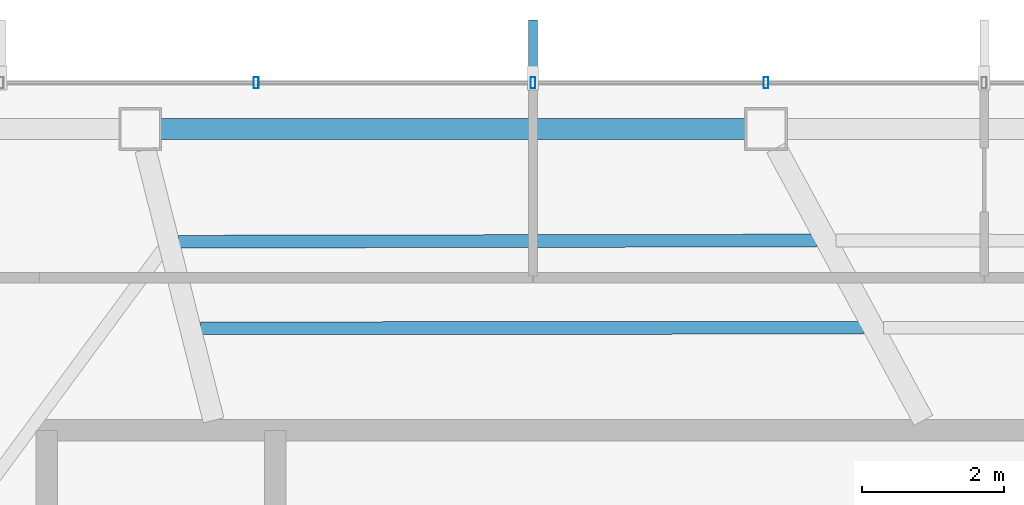
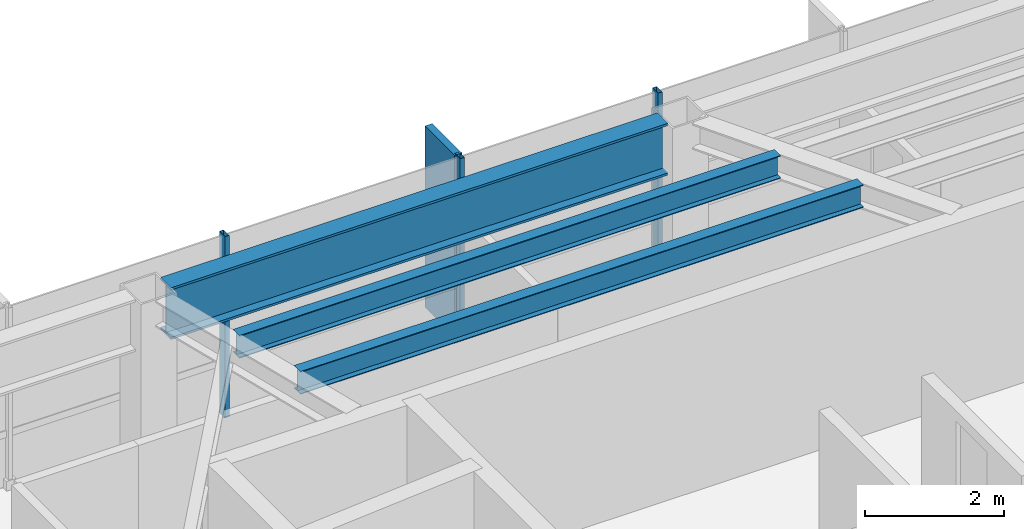
# One storey, part 14 of 28: 4 members, 3 beams, 1 element without a shape of its own.
"""IFC4 building model written with IfcOpenShell, lengths in metres."""

from ifc_helpers import new_model, si_unit, direction, frame, origin, origin_2d, place, context, subcontext, project, spatial, rectangle, hollow_rectangle, i_section, extrude, material, layer, layer_set, material_profile, profile_set, type_object, element, aggregate, save


model = new_model("IFC4")

# Units and contexts
model_context = context("Model", 3, precision=1e-05, world=origin(), true_north=direction((0.0, 1.0)))
body_context = subcontext(model_context, "Body", "Model", "MODEL_VIEW")
ifc_project = project(units=[si_unit("LENGTHUNIT", "METRE"), si_unit("AREAUNIT", "SQUARE_METRE"), si_unit("VOLUMEUNIT", "CUBIC_METRE"), si_unit("PLANEANGLEUNIT", "RADIAN"), si_unit("MASSUNIT", "GRAM", prefix="KILO")], contexts=[model_context])

# Site, building, storey
site_placement = place(None, origin())
site = spatial("IfcSite", under=ifc_project, at=site_placement, CompositionType="ELEMENT")
building_placement = place(site_placement, origin())
building = spatial("IfcBuilding", under=site, at=building_placement, Name="Zarrinselat Tower", CompositionType="ELEMENT")
storey_placement = place(building_placement, frame((0.0, 0.0, 218.9599609375)))
storey = spatial("IfcBuildingStorey", under=building, at=storey_placement, Name="L54", CompositionType="ELEMENT", Elevation=218.9599609375)

# Beams
ifc_material_1 = material(Name="Steel S460M", Category="steel")
ifc_material_profile_1 = material_profile(ifc_material_1, i_section(OverallWidth=0.302001953125, OverallDepth=0.909912109375, WebThickness=0.02099609375, FlangeThickness=0.0400390625, at=origin_2d()), Name="HEM 900")
ifc_profile_set_1 = profile_set([ifc_material_profile_1], Name="Steel S460M")
beam_type_1 = type_object("IfcBeamType", Name="BM-HEM900", PredefinedType="BEAM", material=ifc_profile_set_1)
beam_1_placement = place(storey_placement, frame((30.25341796875, 47.644287109375, 2.72509765625), z_axis=(1.0, 0.0, 0.0), x_axis=(0.0, 1.0, 0.0)))
element("IfcBeam", 1, at=beam_1_placement, inside=storey, type_object=beam_type_1, Name="L54 Perimeter Spandrel Girder SP03", PredefinedType="BEAM", context=body_context, shape_type="SweptSolid", body=[
    extrude(i_section(OverallWidth=0.302001953125, OverallDepth=0.909912109375, WebThickness=0.02099609375, FlangeThickness=0.0400390625, at=origin_2d()), origin(), (0.0, 0.0, 1.0), 8.240966796875),
])
ifc_material_2 = material(Name="Steel S355J2", Category="steel")
ifc_material_profile_2 = material_profile(ifc_material_2, i_section(OverallWidth=0.179931640625, OverallDepth=0.39990234375, WebThickness=0.008544921875, FlangeThickness=0.013427734375, at=origin_2d()), Name="IPE 400")
ifc_profile_set_2 = profile_set([ifc_material_profile_2], Name="Steel S355J2")
beam_type_2 = type_object("IfcBeamType", Name="BM-IPE400", PredefinedType="JOIST", material=ifc_profile_set_2)
beam_2_placement = place(storey_placement, frame((30.505859375, 46.055908203125, 2.97998046875), z_axis=(0.999998139218, 0.001929134547, 0.0), x_axis=(-0.001929134547, 0.999998139218, 0.0)))
element("IfcBeam", 2, at=beam_2_placement, inside=storey, type_object=beam_type_2, Name="L54 Composite Floor Joist 8-1", PredefinedType="JOIST", context=body_context, shape_type="SweptSolid", body=[
    extrude(i_section(OverallWidth=0.179931640625, OverallDepth=0.39990234375, WebThickness=0.008544921875, FlangeThickness=0.013427734375, at=origin_2d()), origin(), (0.0, 0.0, 1.0), 8.9853515625),
])
beam_3_placement = place(storey_placement, frame((30.8134765625, 44.836181640625, 2.97998046875), z_axis=(0.999999557371, 0.000940880876, 0.0), x_axis=(-0.000940880876, 0.999999557371, 0.0)))
element("IfcBeam", 3, at=beam_3_placement, inside=storey, type_object=beam_type_2, Name="L54 Composite Floor Joist 8-2", PredefinedType="JOIST", context=body_context, shape_type="SweptSolid", body=[
    extrude(i_section(OverallWidth=0.179931640625, OverallDepth=0.39990234375, WebThickness=0.008544921875, FlangeThickness=0.013427734375, at=origin_2d()), origin(), (0.0, 0.0, 1.0), 9.34130859375),
])

# Curtain wall, members
ifc_material_3 = material(Name="Extruded Aluminium Alloy EN AW-6063 T6", Category="aluminium")
ifc_layer = layer(ifc_material_3, 0.169921875)
ifc_layer_set = layer_set([ifc_layer], Name="Extruded Aluminium Alloy EN AW-6063 T6")
curtain_wall_type = type_object("IfcCurtainWallType", Name="CWS-RES", PredefinedType="NOTDEFINED", material=ifc_layer_set)
curtain_wall_placement = place(storey_placement, origin())
curtain_wall = element("IfcCurtainWall", 4, at=curtain_wall_placement, inside=storey, type_object=curtain_wall_type, Name="L54 Unitised Curtain Wall CW-L54-E01", PredefinedType="NOTDEFINED")
ifc_material_4 = material(Name="Extruded Aluminium Alloy EN AW-6063 T6", Category="aluminium")
ifc_material_profile_3 = material_profile(ifc_material_4, hollow_rectangle(XDim=0.070068359375, YDim=0.159912109375, WallThickness=0.00390625, at=origin_2d()), Name="RHS 160x70x4")
ifc_profile_set_3 = profile_set([ifc_material_profile_3], Name="Extruded Aluminium Alloy EN AW-6063 T6")
member_type_1 = type_object("IfcMemberType", Name="MEM-CW-MUL2", PredefinedType="MULLION", material=ifc_profile_set_3)
member_1_placement = place(storey_placement, frame((38.782470703125, 48.29443359375, 0.0), z_axis=(0.0, 0.0, 1.0), x_axis=(-1.0, 0.0, 0.0)))
member_1 = element("IfcMember", 5, at=member_1_placement, type_object=member_type_1, Name="CW-L54-E01 Mullion 6", PredefinedType="MULLION", context=body_context, shape_type="SweptSolid", body=[
    extrude(hollow_rectangle(XDim=0.070068359375, YDim=0.159912109375, WallThickness=0.00390625, at=origin_2d()), origin(), (0.0, 0.0, 1.0), 3.179931640625),
])
member_2_placement = place(storey_placement, frame((35.5, 48.29443359375, 0.0), z_axis=(0.0, 0.0, 1.0), x_axis=(-1.0, 0.0, 0.0)))
member_2 = element("IfcMember", 6, at=member_2_placement, type_object=member_type_1, Name="CW-L54-E01 Mullion 7", PredefinedType="MULLION", context=body_context, shape_type="SweptSolid", body=[
    extrude(hollow_rectangle(XDim=0.070068359375, YDim=0.159912109375, WallThickness=0.00390625, at=origin_2d()), origin(), (0.0, 0.0, 1.0), 3.179931640625),
])
member_3_placement = place(storey_placement, frame((31.599609375, 48.29443359375, 0.0), z_axis=(0.0, 0.0, 1.0), x_axis=(-1.0, 0.0, 0.0)))
member_3 = element("IfcMember", 7, at=member_3_placement, type_object=member_type_1, Name="CW-L54-E01 Mullion 8", PredefinedType="MULLION", context=body_context, shape_type="SweptSolid", body=[
    extrude(hollow_rectangle(XDim=0.070068359375, YDim=0.159912109375, WallThickness=0.00390625, at=origin_2d()), origin(), (0.0, 0.0, 1.0), 3.179931640625),
])
ifc_material_5 = material(Name="Honed Cream Travertine Stone", Category="masonry")
ifc_material_profile_4 = material_profile(ifc_material_5, rectangle(XDim=0.1201171875, YDim=0.85009765625, at=origin_2d()), Name="FIN 850x120")
ifc_profile_set_4 = profile_set([ifc_material_profile_4], Name="Honed Cream Travertine Stone")
member_type_2 = type_object("IfcMemberType", Name="MEM-STONE-FIN", PredefinedType="USERDEFINED", material=ifc_profile_set_4)
member_4_placement = place(storey_placement, frame((35.5, 48.75439453125, 0.0), z_axis=(0.0, 0.0, 1.0), x_axis=(1.0, 0.0, 0.0)))
member_4 = element("IfcMember", 8, at=member_4_placement, type_object=member_type_2, Name="L54 Stone Shading Fin CW-L54-E01-07", ObjectType="FIN", PredefinedType="USERDEFINED", context=body_context, shape_type="SweptSolid", body=[
    extrude(rectangle(XDim=0.1201171875, YDim=0.85009765625, at=origin_2d()), origin(), (0.0, 0.0, 1.0), 3.179931640625),
])
aggregate(curtain_wall, [member_1, member_2, member_4, member_3])

save(model, "model.ifc")
